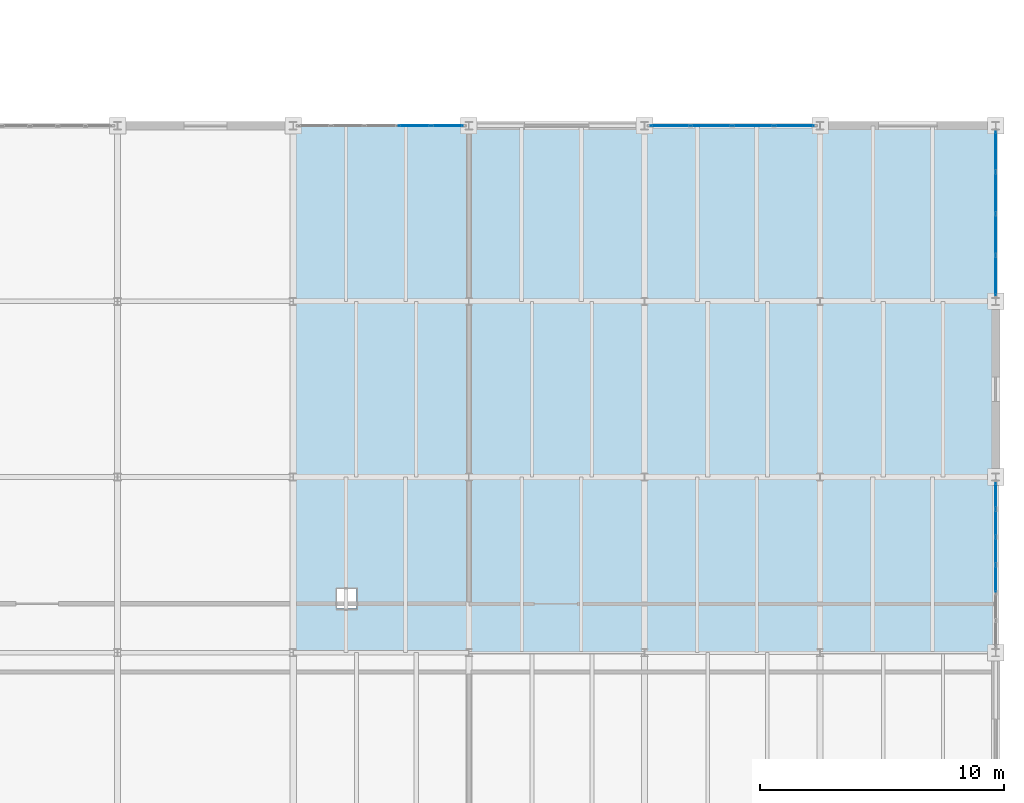
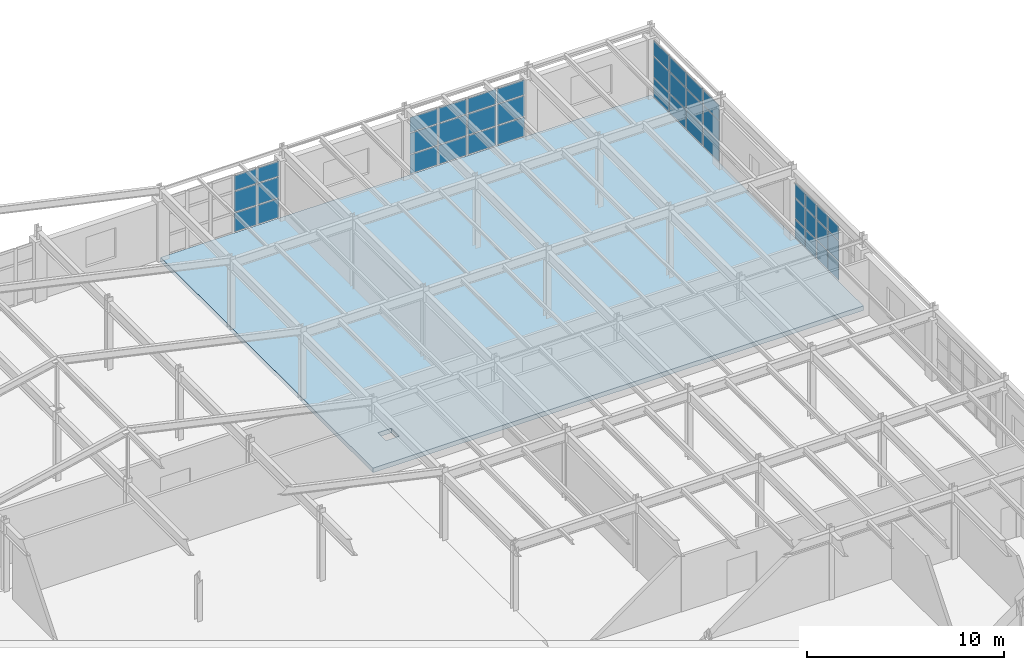
# One storey, part 120 of 137: 42 plates, 1 slab, 4 elements without a shape of their own.
"""IFC4 building model written with IfcOpenShell, lengths in metres."""

from ifc_helpers import new_model, si_unit, direction, frame, origin, origin_2d, place, context, subcontext, project, spatial, polyline, rectangle, outline, extrude, material, layer, layer_set, type_object, element, aggregate, save


model = new_model("IFC4")

# Units and contexts
model_context = context("Model", 3, precision=1e-05, world=origin(), true_north=direction((0.0, 1.0)))
body_context = subcontext(model_context, "Body", "Model", "MODEL_VIEW")
ifc_project = project(units=[si_unit("LENGTHUNIT", "METRE"), si_unit("AREAUNIT", "SQUARE_METRE"), si_unit("VOLUMEUNIT", "CUBIC_METRE"), si_unit("PLANEANGLEUNIT", "RADIAN"), si_unit("MASSUNIT", "GRAM", prefix="KILO")], contexts=[model_context])

# Site, building, storey
site_placement = place(None, origin())
site = spatial("IfcSite", under=ifc_project, at=site_placement, CompositionType="ELEMENT")
building_placement = place(site_placement, origin())
building = spatial("IfcBuilding", under=site, at=building_placement, Name="Kemerveld Promenade Tramway Depot", CompositionType="ELEMENT")
storey_placement = place(building_placement, frame((0.0, 0.0, 5.39990234375)))
storey = spatial("IfcBuildingStorey", under=building, at=storey_placement, Name="L01", CompositionType="ELEMENT", Elevation=5.39990234375)

# Curtain wall, plates
ifc_material_1 = material(Name="Bronze anodised aluminium and solar glass", Category="aluminium")
ifc_layer_1 = layer(ifc_material_1, 0.199951171875)
ifc_layer_set_1 = layer_set([ifc_layer_1], Name="CW-SYS-10")
curtain_wall_type_1 = type_object("IfcCurtainWallType", Name="CW-SYS-10", PredefinedType="USERDEFINED", material=ifc_layer_set_1)
curtain_wall_1_placement = place(storey_placement, origin())
curtain_wall_1 = element("IfcCurtainWall", 1, at=curtain_wall_1_placement, inside=storey, type_object=curtain_wall_type_1, Name="CW-L01-V2N-07", ObjectType="GLAZED_CURTAIN_WALL", PredefinedType="USERDEFINED")
ifc_material_2 = material(Name="Solar-control laminated double glazing", Category="glass")
ifc_layer_2 = layer(ifc_material_2, 0.028076171875)
ifc_layer_set_2 = layer_set([ifc_layer_2], Name="CW-PNL-02")
plate_type_1 = type_object("IfcPlateType", Name="CW-PNL-02", PredefinedType="CURTAIN_PANEL", material=ifc_layer_set_2)
plate_1_placement = place(storey_placement, frame((202.651611328125, 50.39990234375, 0.065185546875), z_axis=(0.0, 0.0, 1.0), x_axis=(1.0, 0.0, 0.0)))
plate_1 = element("IfcPlate", 2, at=plate_1_placement, type_object=plate_type_1, Name="CW10 panel 1.1", PredefinedType="CURTAIN_PANEL", context=body_context, shape_type="SweptSolid", body=[
    extrude(rectangle(XDim=1.598876953125, YDim=0.028076171875, at=origin_2d()), origin(), (0.0, 0.0, 1.0), 1.16650390625),
])
plate_2_placement = place(storey_placement, frame((202.651611328125, 50.39990234375, 1.296630859375), z_axis=(0.0, 0.0, 1.0), x_axis=(1.0, 0.0, 0.0)))
plate_2 = element("IfcPlate", 3, at=plate_2_placement, type_object=plate_type_1, Name="CW10 panel 1.2", PredefinedType="CURTAIN_PANEL", context=body_context, shape_type="SweptSolid", body=[
    extrude(rectangle(XDim=1.598876953125, YDim=0.028076171875, at=origin_2d()), origin(), (0.0, 0.0, 1.0), 1.27197265625),
])
plate_3_placement = place(storey_placement, frame((202.651611328125, 50.39990234375, 2.633544921875), z_axis=(0.0, 0.0, 1.0), x_axis=(1.0, 0.0, 0.0)))
plate_3 = element("IfcPlate", 4, at=plate_3_placement, type_object=plate_type_1, Name="CW10 panel 1.3", PredefinedType="CURTAIN_PANEL", context=body_context, shape_type="SweptSolid", body=[
    extrude(rectangle(XDim=1.598876953125, YDim=0.028076171875, at=origin_2d()), origin(), (0.0, 0.0, 1.0), 0.9140625),
])
plate_4_placement = place(storey_placement, frame((204.34423828125, 50.39990234375, 0.065185546875), z_axis=(0.0, 0.0, 1.0), x_axis=(1.0, 0.0, 0.0)))
plate_4 = element("IfcPlate", 5, at=plate_4_placement, type_object=plate_type_1, Name="CW10 panel 2.1", PredefinedType="CURTAIN_PANEL", context=body_context, shape_type="SweptSolid", body=[
    extrude(rectangle(XDim=1.636474609375, YDim=0.028076171875, at=origin_2d()), origin(), (0.0, 0.0, 1.0), 1.16650390625),
])
plate_5_placement = place(storey_placement, frame((204.34423828125, 50.39990234375, 1.296630859375), z_axis=(0.0, 0.0, 1.0), x_axis=(1.0, 0.0, 0.0)))
plate_5 = element("IfcPlate", 6, at=plate_5_placement, type_object=plate_type_1, Name="CW10 panel 2.2", PredefinedType="CURTAIN_PANEL", context=body_context, shape_type="SweptSolid", body=[
    extrude(rectangle(XDim=1.636474609375, YDim=0.028076171875, at=origin_2d()), origin(), (0.0, 0.0, 1.0), 1.27197265625),
])
plate_6_placement = place(storey_placement, frame((204.34423828125, 50.39990234375, 2.633544921875), z_axis=(0.0, 0.0, 1.0), x_axis=(1.0, 0.0, 0.0)))
plate_6 = element("IfcPlate", 7, at=plate_6_placement, type_object=plate_type_1, Name="CW10 panel 2.3", PredefinedType="CURTAIN_PANEL", context=body_context, shape_type="SweptSolid", body=[
    extrude(rectangle(XDim=1.636474609375, YDim=0.028076171875, at=origin_2d()), origin(), (0.0, 0.0, 1.0), 0.9140625),
])
plate_7_placement = place(storey_placement, frame((206.0556640625, 50.39990234375, 0.065185546875), z_axis=(0.0, 0.0, 1.0), x_axis=(1.0, 0.0, 0.0)))
plate_7 = element("IfcPlate", 8, at=plate_7_placement, type_object=plate_type_1, Name="CW10 panel 3.1", PredefinedType="CURTAIN_PANEL", context=body_context, shape_type="SweptSolid", body=[
    extrude(rectangle(XDim=1.636474609375, YDim=0.028076171875, at=origin_2d()), origin(), (0.0, 0.0, 1.0), 1.16650390625),
])
plate_8_placement = place(storey_placement, frame((206.0556640625, 50.39990234375, 1.296630859375), z_axis=(0.0, 0.0, 1.0), x_axis=(1.0, 0.0, 0.0)))
plate_8 = element("IfcPlate", 9, at=plate_8_placement, type_object=plate_type_1, Name="CW10 panel 3.2", PredefinedType="CURTAIN_PANEL", context=body_context, shape_type="SweptSolid", body=[
    extrude(rectangle(XDim=1.636474609375, YDim=0.028076171875, at=origin_2d()), origin(), (0.0, 0.0, 1.0), 1.27197265625),
])
plate_9_placement = place(storey_placement, frame((206.0556640625, 50.39990234375, 2.633544921875), z_axis=(0.0, 0.0, 1.0), x_axis=(1.0, 0.0, 0.0)))
plate_9 = element("IfcPlate", 10, at=plate_9_placement, type_object=plate_type_1, Name="CW10 panel 3.3", PredefinedType="CURTAIN_PANEL", context=body_context, shape_type="SweptSolid", body=[
    extrude(rectangle(XDim=1.636474609375, YDim=0.028076171875, at=origin_2d()), origin(), (0.0, 0.0, 1.0), 0.9140625),
])
plate_10_placement = place(storey_placement, frame((207.748291015625, 50.39990234375, 0.065185546875), z_axis=(0.0, 0.0, 1.0), x_axis=(1.0, 0.0, 0.0)))
plate_10 = element("IfcPlate", 11, at=plate_10_placement, type_object=plate_type_1, Name="CW10 panel 4.1", PredefinedType="CURTAIN_PANEL", context=body_context, shape_type="SweptSolid", body=[
    extrude(rectangle(XDim=1.598876953125, YDim=0.028076171875, at=origin_2d()), origin(), (0.0, 0.0, 1.0), 1.16650390625),
])
plate_11_placement = place(storey_placement, frame((207.748291015625, 50.39990234375, 1.296630859375), z_axis=(0.0, 0.0, 1.0), x_axis=(1.0, 0.0, 0.0)))
plate_11 = element("IfcPlate", 12, at=plate_11_placement, type_object=plate_type_1, Name="CW10 panel 4.2", PredefinedType="CURTAIN_PANEL", context=body_context, shape_type="SweptSolid", body=[
    extrude(rectangle(XDim=1.598876953125, YDim=0.028076171875, at=origin_2d()), origin(), (0.0, 0.0, 1.0), 1.27197265625),
])
plate_12_placement = place(storey_placement, frame((207.748291015625, 50.39990234375, 2.633544921875), z_axis=(0.0, 0.0, 1.0), x_axis=(1.0, 0.0, 0.0)))
plate_12 = element("IfcPlate", 13, at=plate_12_placement, type_object=plate_type_1, Name="CW10 panel 4.3", PredefinedType="CURTAIN_PANEL", context=body_context, shape_type="SweptSolid", body=[
    extrude(rectangle(XDim=1.598876953125, YDim=0.028076171875, at=origin_2d()), origin(), (0.0, 0.0, 1.0), 0.9140625),
])
aggregate(curtain_wall_1, [plate_1, plate_2, plate_3, plate_4, plate_5, plate_6, plate_7, plate_8, plate_9, plate_10, plate_11, plate_12])

ifc_layer_3 = layer(ifc_material_1, 0.199951171875)
ifc_layer_set_3 = layer_set([ifc_layer_3], Name="CW-SYS-04")
curtain_wall_type_2 = type_object("IfcCurtainWallType", Name="CW-SYS-04", PredefinedType="USERDEFINED", material=ifc_layer_set_3)
curtain_wall_2_placement = place(storey_placement, origin())
curtain_wall_2 = element("IfcCurtainWall", 14, at=curtain_wall_2_placement, inside=storey, type_object=curtain_wall_type_2, Name="CW-L01-V2E-01", ObjectType="GLAZED_CURTAIN_WALL", PredefinedType="USERDEFINED")
ifc_layer_4 = layer(ifc_material_2, 0.031982421875)
ifc_layer_set_4 = layer_set([ifc_layer_4], Name="CW-PNL-04")
plate_type_2 = type_object("IfcPlateType", Name="CW-PNL-04", PredefinedType="CURTAIN_PANEL", material=ifc_layer_set_4)
plate_13_placement = place(storey_placement, frame((216.0, 49.348388671875, 0.065185546875), z_axis=(0.0, 0.0, 1.0), x_axis=(0.0, -1.0, 0.0)))
plate_13 = element("IfcPlate", 15, at=plate_13_placement, type_object=plate_type_2, Name="CW04 panel 1.1", PredefinedType="CURTAIN_PANEL", context=body_context, shape_type="SweptSolid", body=[
    extrude(rectangle(XDim=1.598876953125, YDim=0.031982421875, at=origin_2d()), origin(), (0.0, 0.0, 1.0), 1.16650390625),
])
plate_14_placement = place(storey_placement, frame((216.0, 49.348388671875, 1.296630859375), z_axis=(0.0, 0.0, 1.0), x_axis=(0.0, -1.0, 0.0)))
plate_14 = element("IfcPlate", 16, at=plate_14_placement, type_object=plate_type_2, Name="CW04 panel 1.2", PredefinedType="CURTAIN_PANEL", context=body_context, shape_type="SweptSolid", body=[
    extrude(rectangle(XDim=1.598876953125, YDim=0.031982421875, at=origin_2d()), origin(), (0.0, 0.0, 1.0), 1.27197265625),
])
plate_15_placement = place(storey_placement, frame((216.0, 49.348388671875, 2.633544921875), z_axis=(0.0, 0.0, 1.0), x_axis=(0.0, -1.0, 0.0)))
plate_15 = element("IfcPlate", 17, at=plate_15_placement, type_object=plate_type_2, Name="CW04 panel 1.3", PredefinedType="CURTAIN_PANEL", context=body_context, shape_type="SweptSolid", body=[
    extrude(rectangle(XDim=1.598876953125, YDim=0.031982421875, at=origin_2d()), origin(), (0.0, 0.0, 1.0), 0.9140625),
])
plate_16_placement = place(storey_placement, frame((216.0, 47.65576171875, 0.065185546875), z_axis=(0.0, 0.0, 1.0), x_axis=(0.0, -1.0, 0.0)))
plate_16 = element("IfcPlate", 18, at=plate_16_placement, type_object=plate_type_2, Name="CW04 panel 2.1", PredefinedType="CURTAIN_PANEL", context=body_context, shape_type="SweptSolid", body=[
    extrude(rectangle(XDim=1.63623046875, YDim=0.031982421875, at=origin_2d()), origin(), (0.0, 0.0, 1.0), 1.16650390625),
])
plate_17_placement = place(storey_placement, frame((216.0, 47.65576171875, 1.296630859375), z_axis=(0.0, 0.0, 1.0), x_axis=(0.0, -1.0, 0.0)))
plate_17 = element("IfcPlate", 19, at=plate_17_placement, type_object=plate_type_2, Name="CW04 panel 2.2", PredefinedType="CURTAIN_PANEL", context=body_context, shape_type="SweptSolid", body=[
    extrude(rectangle(XDim=1.63623046875, YDim=0.031982421875, at=origin_2d()), origin(), (0.0, 0.0, 1.0), 1.27197265625),
])
plate_18_placement = place(storey_placement, frame((216.0, 47.65576171875, 2.633544921875), z_axis=(0.0, 0.0, 1.0), x_axis=(0.0, -1.0, 0.0)))
plate_18 = element("IfcPlate", 20, at=plate_18_placement, type_object=plate_type_2, Name="CW04 panel 2.3", PredefinedType="CURTAIN_PANEL", context=body_context, shape_type="SweptSolid", body=[
    extrude(rectangle(XDim=1.63623046875, YDim=0.031982421875, at=origin_2d()), origin(), (0.0, 0.0, 1.0), 0.9140625),
])
plate_19_placement = place(storey_placement, frame((216.0, 45.9443359375, 0.065185546875), z_axis=(0.0, 0.0, 1.0), x_axis=(0.0, -1.0, 0.0)))
plate_19 = element("IfcPlate", 21, at=plate_19_placement, type_object=plate_type_2, Name="CW04 panel 3.1", PredefinedType="CURTAIN_PANEL", context=body_context, shape_type="SweptSolid", body=[
    extrude(rectangle(XDim=1.63623046875, YDim=0.031982421875, at=origin_2d()), origin(), (0.0, 0.0, 1.0), 1.16650390625),
])
plate_20_placement = place(storey_placement, frame((216.0, 45.9443359375, 1.296630859375), z_axis=(0.0, 0.0, 1.0), x_axis=(0.0, -1.0, 0.0)))
plate_20 = element("IfcPlate", 22, at=plate_20_placement, type_object=plate_type_2, Name="CW04 panel 3.2", PredefinedType="CURTAIN_PANEL", context=body_context, shape_type="SweptSolid", body=[
    extrude(rectangle(XDim=1.63623046875, YDim=0.031982421875, at=origin_2d()), origin(), (0.0, 0.0, 1.0), 1.27197265625),
])
plate_21_placement = place(storey_placement, frame((216.0, 45.9443359375, 2.633544921875), z_axis=(0.0, 0.0, 1.0), x_axis=(0.0, -1.0, 0.0)))
plate_21 = element("IfcPlate", 23, at=plate_21_placement, type_object=plate_type_2, Name="CW04 panel 3.3", PredefinedType="CURTAIN_PANEL", context=body_context, shape_type="SweptSolid", body=[
    extrude(rectangle(XDim=1.63623046875, YDim=0.031982421875, at=origin_2d()), origin(), (0.0, 0.0, 1.0), 0.9140625),
])
plate_22_placement = place(storey_placement, frame((216.0, 44.251708984375, 0.065185546875), z_axis=(0.0, 0.0, 1.0), x_axis=(0.0, -1.0, 0.0)))
plate_22 = element("IfcPlate", 24, at=plate_22_placement, type_object=plate_type_2, Name="CW04 panel 4.1", PredefinedType="CURTAIN_PANEL", context=body_context, shape_type="SweptSolid", body=[
    extrude(rectangle(XDim=1.598876953125, YDim=0.031982421875, at=origin_2d()), origin(), (0.0, 0.0, 1.0), 1.16650390625),
])
plate_23_placement = place(storey_placement, frame((216.0, 44.251708984375, 1.296630859375), z_axis=(0.0, 0.0, 1.0), x_axis=(0.0, -1.0, 0.0)))
plate_23 = element("IfcPlate", 25, at=plate_23_placement, type_object=plate_type_2, Name="CW04 panel 4.2", PredefinedType="CURTAIN_PANEL", context=body_context, shape_type="SweptSolid", body=[
    extrude(rectangle(XDim=1.598876953125, YDim=0.031982421875, at=origin_2d()), origin(), (0.0, 0.0, 1.0), 1.27197265625),
])
plate_24_placement = place(storey_placement, frame((216.0, 44.251708984375, 2.633544921875), z_axis=(0.0, 0.0, 1.0), x_axis=(0.0, -1.0, 0.0)))
plate_24 = element("IfcPlate", 26, at=plate_24_placement, type_object=plate_type_2, Name="CW04 panel 4.3", PredefinedType="CURTAIN_PANEL", context=body_context, shape_type="SweptSolid", body=[
    extrude(rectangle(XDim=1.598876953125, YDim=0.031982421875, at=origin_2d()), origin(), (0.0, 0.0, 1.0), 0.9140625),
])
aggregate(curtain_wall_2, [plate_13, plate_14, plate_15, plate_16, plate_17, plate_18, plate_19, plate_20, plate_21, plate_22, plate_23, plate_24])

ifc_layer_5 = layer(ifc_material_1, 0.199951171875)
ifc_layer_set_5 = layer_set([ifc_layer_5], Name="CW-SYS-06")
curtain_wall_type_3 = type_object("IfcCurtainWallType", Name="CW-SYS-06", PredefinedType="USERDEFINED", material=ifc_layer_set_5)
curtain_wall_3_placement = place(storey_placement, origin())
curtain_wall_3 = element("IfcCurtainWall", 27, at=curtain_wall_3_placement, inside=storey, type_object=curtain_wall_type_3, Name="CW-L01-V2E-03", ObjectType="GLAZED_CURTAIN_WALL", PredefinedType="USERDEFINED")
ifc_layer_6 = layer(ifc_material_2, 0.02587890625)
ifc_layer_set_6 = layer_set([ifc_layer_6], Name="CW-PNL-06")
plate_type_3 = type_object("IfcPlateType", Name="CW-PNL-06", PredefinedType="CURTAIN_PANEL", material=ifc_layer_set_6)
plate_25_placement = place(storey_placement, frame((216.0, 35.2333984375, 0.065185546875), z_axis=(0.0, 0.0, 1.0), x_axis=(0.0, -1.0, 0.0)))
plate_25 = element("IfcPlate", 28, at=plate_25_placement, type_object=plate_type_3, Name="CW06 panel 1.1", PredefinedType="CURTAIN_PANEL", context=body_context, shape_type="SweptSolid", body=[
    extrude(rectangle(XDim=1.0283203125, YDim=0.02587890625, at=origin_2d()), origin(), (0.0, 0.0, 1.0), 1.12451171875),
])
plate_26_placement = place(storey_placement, frame((216.0, 35.2333984375, 1.254638671875), z_axis=(0.0, 0.0, 1.0), x_axis=(0.0, -1.0, 0.0)))
plate_26 = element("IfcPlate", 29, at=plate_26_placement, type_object=plate_type_3, Name="CW06 panel 1.2", PredefinedType="CURTAIN_PANEL", context=body_context, shape_type="SweptSolid", body=[
    extrude(rectangle(XDim=1.0283203125, YDim=0.02587890625, at=origin_2d()), origin(), (0.0, 0.0, 1.0), 1.22802734375),
])
plate_27_placement = place(storey_placement, frame((216.0, 35.2333984375, 2.547607421875), z_axis=(0.0, 0.0, 1.0), x_axis=(0.0, -1.0, 0.0)))
plate_27 = element("IfcPlate", 30, at=plate_27_placement, type_object=plate_type_3, Name="CW06 panel 1.3", PredefinedType="CURTAIN_PANEL", context=body_context, shape_type="SweptSolid", body=[
    extrude(rectangle(XDim=1.0283203125, YDim=0.02587890625, at=origin_2d()), origin(), (0.0, 0.0, 1.0), 0.8798828125),
])
plate_28_placement = place(storey_placement, frame((216.0, 34.111328125, 0.065185546875), z_axis=(0.0, 0.0, 1.0), x_axis=(0.0, -1.0, 0.0)))
plate_28 = element("IfcPlate", 31, at=plate_28_placement, type_object=plate_type_3, Name="CW06 panel 2.1", PredefinedType="CURTAIN_PANEL", context=body_context, shape_type="SweptSolid", body=[
    extrude(rectangle(XDim=1.06591796875, YDim=0.02587890625, at=origin_2d()), origin(), (0.0, 0.0, 1.0), 1.12451171875),
])
plate_29_placement = place(storey_placement, frame((216.0, 34.111328125, 1.254638671875), z_axis=(0.0, 0.0, 1.0), x_axis=(0.0, -1.0, 0.0)))
plate_29 = element("IfcPlate", 32, at=plate_29_placement, type_object=plate_type_3, Name="CW06 panel 2.2", PredefinedType="CURTAIN_PANEL", context=body_context, shape_type="SweptSolid", body=[
    extrude(rectangle(XDim=1.06591796875, YDim=0.02587890625, at=origin_2d()), origin(), (0.0, 0.0, 1.0), 1.22802734375),
])
plate_30_placement = place(storey_placement, frame((216.0, 34.111328125, 2.547607421875), z_axis=(0.0, 0.0, 1.0), x_axis=(0.0, -1.0, 0.0)))
plate_30 = element("IfcPlate", 33, at=plate_30_placement, type_object=plate_type_3, Name="CW06 panel 2.3", PredefinedType="CURTAIN_PANEL", context=body_context, shape_type="SweptSolid", body=[
    extrude(rectangle(XDim=1.06591796875, YDim=0.02587890625, at=origin_2d()), origin(), (0.0, 0.0, 1.0), 0.8798828125),
])
plate_31_placement = place(storey_placement, frame((216.0, 32.970458984375, 0.065185546875), z_axis=(0.0, 0.0, 1.0), x_axis=(0.0, -1.0, 0.0)))
plate_31 = element("IfcPlate", 34, at=plate_31_placement, type_object=plate_type_3, Name="CW06 panel 3.1", PredefinedType="CURTAIN_PANEL", context=body_context, shape_type="SweptSolid", body=[
    extrude(rectangle(XDim=1.06591796875, YDim=0.02587890625, at=origin_2d()), origin(), (0.0, 0.0, 1.0), 1.12451171875),
])
plate_32_placement = place(storey_placement, frame((216.0, 32.970458984375, 1.254638671875), z_axis=(0.0, 0.0, 1.0), x_axis=(0.0, -1.0, 0.0)))
plate_32 = element("IfcPlate", 35, at=plate_32_placement, type_object=plate_type_3, Name="CW06 panel 3.2", PredefinedType="CURTAIN_PANEL", context=body_context, shape_type="SweptSolid", body=[
    extrude(rectangle(XDim=1.06591796875, YDim=0.02587890625, at=origin_2d()), origin(), (0.0, 0.0, 1.0), 1.22802734375),
])
plate_33_placement = place(storey_placement, frame((216.0, 32.970458984375, 2.547607421875), z_axis=(0.0, 0.0, 1.0), x_axis=(0.0, -1.0, 0.0)))
plate_33 = element("IfcPlate", 36, at=plate_33_placement, type_object=plate_type_3, Name="CW06 panel 3.3", PredefinedType="CURTAIN_PANEL", context=body_context, shape_type="SweptSolid", body=[
    extrude(rectangle(XDim=1.06591796875, YDim=0.02587890625, at=origin_2d()), origin(), (0.0, 0.0, 1.0), 0.8798828125),
])
plate_34_placement = place(storey_placement, frame((216.0, 31.82958984375, 0.065185546875), z_axis=(0.0, 0.0, 1.0), x_axis=(0.0, -1.0, 0.0)))
plate_34 = element("IfcPlate", 37, at=plate_34_placement, type_object=plate_type_3, Name="CW06 panel 4.1", PredefinedType="CURTAIN_PANEL", context=body_context, shape_type="SweptSolid", body=[
    extrude(rectangle(XDim=1.06591796875, YDim=0.02587890625, at=origin_2d()), origin(), (0.0, 0.0, 1.0), 1.12451171875),
])
plate_35_placement = place(storey_placement, frame((216.0, 31.82958984375, 1.254638671875), z_axis=(0.0, 0.0, 1.0), x_axis=(0.0, -1.0, 0.0)))
plate_35 = element("IfcPlate", 38, at=plate_35_placement, type_object=plate_type_3, Name="CW06 panel 4.2", PredefinedType="CURTAIN_PANEL", context=body_context, shape_type="SweptSolid", body=[
    extrude(rectangle(XDim=1.06591796875, YDim=0.02587890625, at=origin_2d()), origin(), (0.0, 0.0, 1.0), 1.22802734375),
])
plate_36_placement = place(storey_placement, frame((216.0, 31.82958984375, 2.547607421875), z_axis=(0.0, 0.0, 1.0), x_axis=(0.0, -1.0, 0.0)))
plate_36 = element("IfcPlate", 39, at=plate_36_placement, type_object=plate_type_3, Name="CW06 panel 4.3", PredefinedType="CURTAIN_PANEL", context=body_context, shape_type="SweptSolid", body=[
    extrude(rectangle(XDim=1.06591796875, YDim=0.02587890625, at=origin_2d()), origin(), (0.0, 0.0, 1.0), 0.8798828125),
])
aggregate(curtain_wall_3, [plate_25, plate_26, plate_27, plate_28, plate_29, plate_30, plate_31, plate_32, plate_33, plate_34, plate_35, plate_36])

ifc_layer_7 = layer(ifc_material_1, 0.199951171875)
ifc_layer_set_7 = layer_set([ifc_layer_7], Name="CW-SYS-08")
curtain_wall_type_4 = type_object("IfcCurtainWallType", Name="CW-SYS-08", PredefinedType="USERDEFINED", material=ifc_layer_set_7)
curtain_wall_4_placement = place(storey_placement, origin())
curtain_wall_4 = element("IfcCurtainWall", 40, at=curtain_wall_4_placement, inside=storey, type_object=curtain_wall_type_4, Name="CW-L01-V2N-05", ObjectType="GLAZED_CURTAIN_WALL", PredefinedType="USERDEFINED")
ifc_layer_8 = layer(ifc_material_2, 0.028076171875)
ifc_layer_set_8 = layer_set([ifc_layer_8], Name="CW-PNL-08")
plate_type_4 = type_object("IfcPlateType", Name="CW-PNL-08", PredefinedType="CURTAIN_PANEL", material=ifc_layer_set_8)
plate_37_placement = place(storey_placement, frame((192.169189453125, 50.39990234375, 0.065185546875), z_axis=(0.0, 0.0, 1.0), x_axis=(1.0, 0.0, 0.0)))
plate_37 = element("IfcPlate", 41, at=plate_37_placement, type_object=plate_type_4, Name="CW08 panel 4.1", PredefinedType="CURTAIN_PANEL", context=body_context, shape_type="SweptSolid", body=[
    extrude(rectangle(XDim=1.294189453125, YDim=0.028076171875, at=origin_2d()), origin(), (0.0, 0.0, 1.0), 1.16650390625),
])
plate_38_placement = place(storey_placement, frame((192.169189453125, 50.39990234375, 1.296630859375), z_axis=(0.0, 0.0, 1.0), x_axis=(1.0, 0.0, 0.0)))
plate_38 = element("IfcPlate", 42, at=plate_38_placement, type_object=plate_type_4, Name="CW08 panel 4.2", PredefinedType="CURTAIN_PANEL", context=body_context, shape_type="SweptSolid", body=[
    extrude(rectangle(XDim=1.294189453125, YDim=0.028076171875, at=origin_2d()), origin(), (0.0, 0.0, 1.0), 1.27197265625),
])
plate_39_placement = place(storey_placement, frame((192.169189453125, 50.39990234375, 2.633544921875), z_axis=(0.0, 0.0, 1.0), x_axis=(1.0, 0.0, 0.0)))
plate_39 = element("IfcPlate", 43, at=plate_39_placement, type_object=plate_type_4, Name="CW08 panel 4.3", PredefinedType="CURTAIN_PANEL", context=body_context, shape_type="SweptSolid", body=[
    extrude(rectangle(XDim=1.294189453125, YDim=0.028076171875, at=origin_2d()), origin(), (0.0, 0.0, 1.0), 0.9140625),
])
plate_40_placement = place(storey_placement, frame((193.51953125, 50.39990234375, 0.065185546875), z_axis=(0.0, 0.0, 1.0), x_axis=(1.0, 0.0, 0.0)))
plate_40 = element("IfcPlate", 44, at=plate_40_placement, type_object=plate_type_4, Name="CW08 panel 5.1", PredefinedType="CURTAIN_PANEL", context=body_context, shape_type="SweptSolid", body=[
    extrude(rectangle(XDim=1.256591796875, YDim=0.028076171875, at=origin_2d()), origin(), (0.0, 0.0, 1.0), 1.16650390625),
])
plate_41_placement = place(storey_placement, frame((193.51953125, 50.39990234375, 1.296630859375), z_axis=(0.0, 0.0, 1.0), x_axis=(1.0, 0.0, 0.0)))
plate_41 = element("IfcPlate", 45, at=plate_41_placement, type_object=plate_type_4, Name="CW08 panel 5.2", PredefinedType="CURTAIN_PANEL", context=body_context, shape_type="SweptSolid", body=[
    extrude(rectangle(XDim=1.256591796875, YDim=0.028076171875, at=origin_2d()), origin(), (0.0, 0.0, 1.0), 1.27197265625),
])
plate_42_placement = place(storey_placement, frame((193.51953125, 50.39990234375, 2.633544921875), z_axis=(0.0, 0.0, 1.0), x_axis=(1.0, 0.0, 0.0)))
plate_42 = element("IfcPlate", 46, at=plate_42_placement, type_object=plate_type_4, Name="CW08 panel 5.3", PredefinedType="CURTAIN_PANEL", context=body_context, shape_type="SweptSolid", body=[
    extrude(rectangle(XDim=1.256591796875, YDim=0.028076171875, at=origin_2d()), origin(), (0.0, 0.0, 1.0), 0.9140625),
])
aggregate(curtain_wall_4, [plate_37, plate_38, plate_39, plate_40, plate_41, plate_42])

# Slab
ifc_material_3 = material(Name="Concrete C35/45", Category="concrete")
ifc_layer_9 = layer(ifc_material_3, 0.280029296875)
ifc_layer_set_9 = layer_set([ifc_layer_9], Name="SL-FL01")
slab_type = type_object("IfcSlabType", Name="SL-FL01", PredefinedType="FLOOR", material=ifc_layer_set_9)
slab_placement = place(storey_placement, frame((0.0, 0.0, -0.27978515625)))
element("IfcSlab", 47, at=slab_placement, inside=storey, type_object=slab_type, Name="SLB-L01-V2D", PredefinedType="FLOOR", context=body_context, shape_type="SweptSolid", body=[
    extrude(outline(polyline([(187.199951171875, 28.800048828125), (216.0, 28.800048828125), (216.0, 50.39990234375), (187.199951171875, 50.39990234375), (187.199951171875, 28.800048828125)]), holes=[polyline([(189.0, 30.60009765625), (189.800048828125, 30.60009765625), (189.800048828125, 31.39990234375), (189.0, 31.39990234375), (189.0, 30.60009765625)])]), origin(), (0.0, 0.0, 1.0), 0.27978515625),
])

save(model, "model.ifc")
